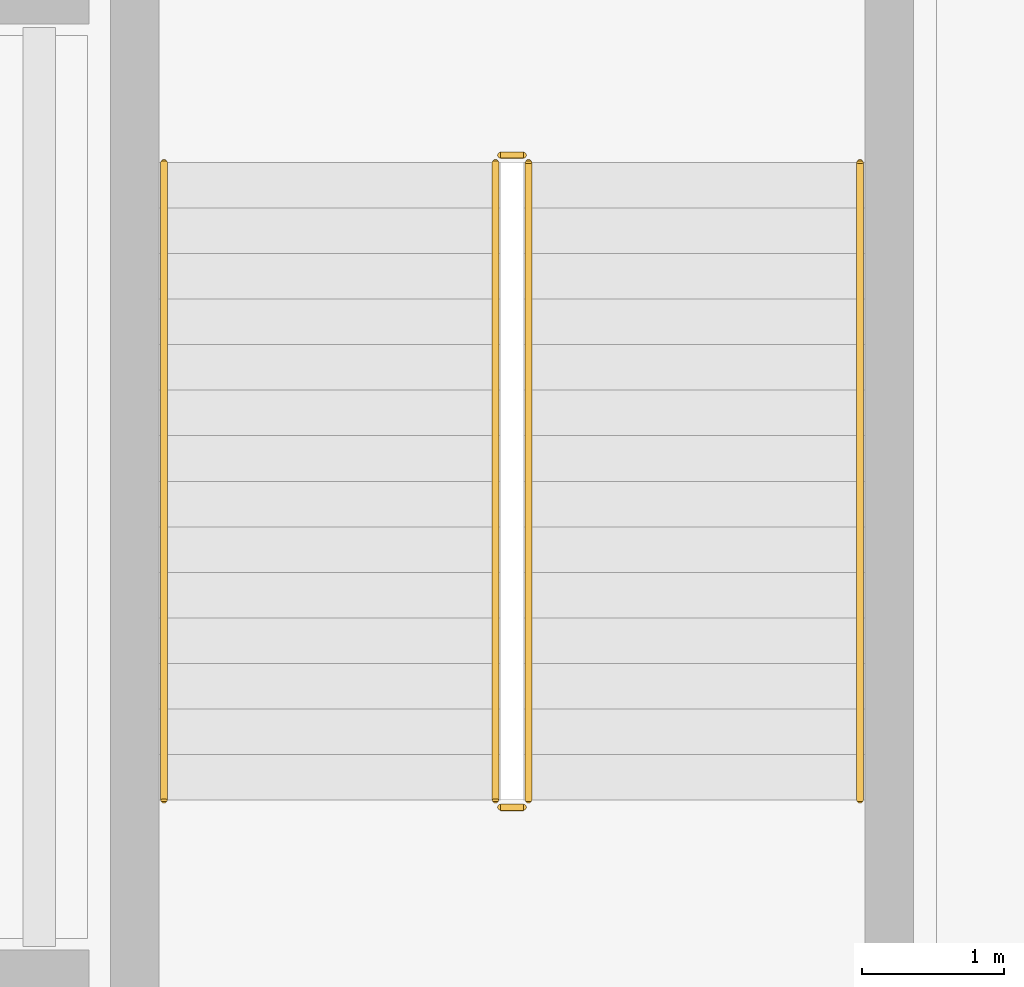
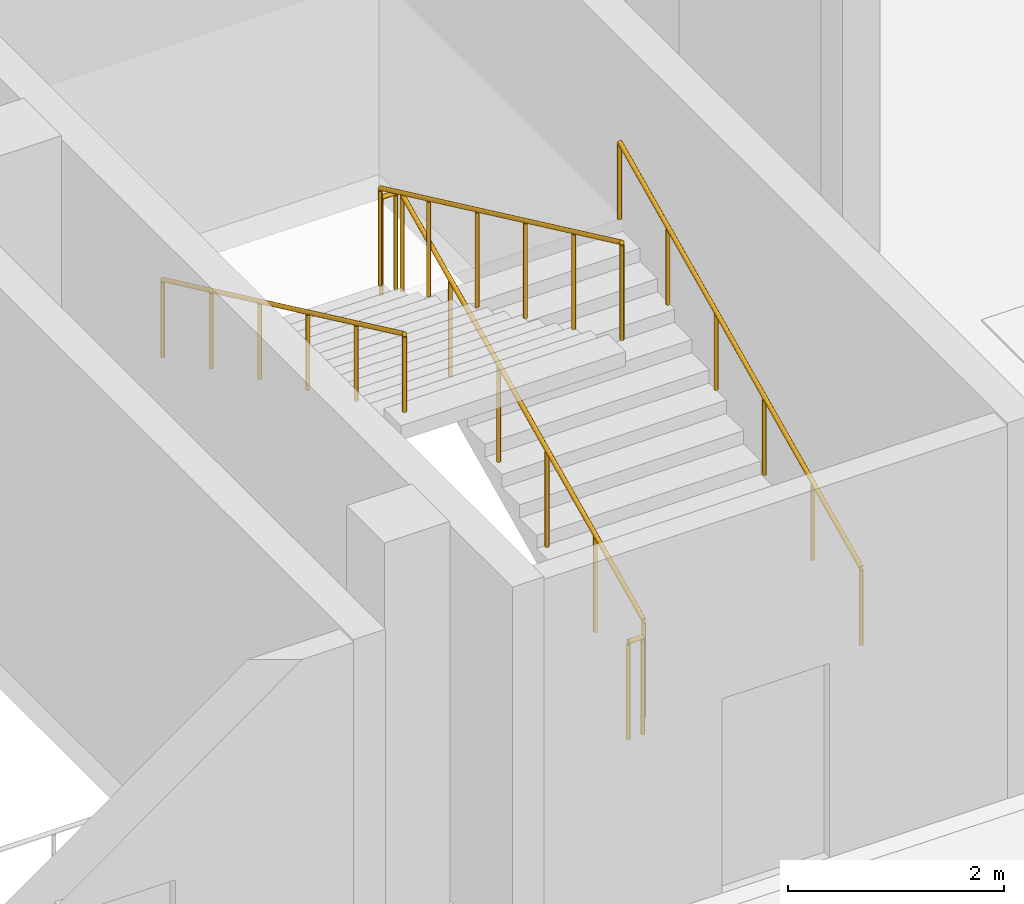
# One storey, part 149 of 151: 6 railings.
"""IFC4 building model written with IfcOpenShell, lengths in metres."""

from ifc_helpers import new_model, si_unit, direction, frame, origin, origin_2d, place, context, subcontext, project, spatial, circle, extrude, material, layer, layer_set, type_object, element, save


model = new_model("IFC4")

# Units and contexts
model_context = context("Model", 3, precision=1e-05, world=origin(), true_north=direction((0.0, 1.0)))
body_context = subcontext(model_context, "Body", "Model", "MODEL_VIEW")
ifc_project = project(units=[si_unit("LENGTHUNIT", "METRE"), si_unit("AREAUNIT", "SQUARE_METRE"), si_unit("VOLUMEUNIT", "CUBIC_METRE"), si_unit("PLANEANGLEUNIT", "RADIAN"), si_unit("MASSUNIT", "GRAM", prefix="KILO")], contexts=[model_context])

# Site, building, storey
site_placement = place(None, origin())
site = spatial("IfcSite", under=ifc_project, at=site_placement, CompositionType="ELEMENT")
building_placement = place(site_placement, origin())
building = spatial("IfcBuilding", under=site, at=building_placement, Name="Celestram Park Convention Centre", CompositionType="ELEMENT")
storey_placement = place(building_placement, frame((0.0, 0.0, 10.800048828125)))
storey = spatial("IfcBuildingStorey", under=building, at=storey_placement, Name="L02", CompositionType="ELEMENT", Elevation=10.800048828125)

# Railings
ifc_material_1 = material(Name="Stainless Steel AISI 316L & Laminated Glass", Category="steel")
ifc_layer_1 = layer(ifc_material_1, 0.06005859375)
ifc_layer_set_1 = layer_set([ifc_layer_1], Name="Stainless Steel AISI 316L & Laminated Glass")
railing_type_1 = type_object("IfcRailingType", Name="ARC-RL-GRD1120", PredefinedType="GUARDRAIL", material=ifc_layer_set_1)
railing_1_placement = place(storey_placement, frame((147.43603515625, 152.60009765625, 0.14990234375)))
element("IfcRailing", 1, at=railing_1_placement, inside=storey, type_object=railing_type_1, Name="L02 ST-09 stair guard 1", PredefinedType="GUARDRAIL", context=body_context, shape_type="SweptSolid", body=[
    extrude(circle(Radius=0.02392578125, at=origin_2d()), frame((0.0, 0.0, 1.09619140625), z_axis=(0.0, 0.905450639465, 0.424451574969), x_axis=(-1.0, 0.0, 0.0)), (0.0, 0.0, 1.0), 4.94775390625),
    extrude(circle(Radius=0.02099609375, at=origin_2d()), origin(), (0.0, 0.0, 1.0), 1.072021484375),
    extrude(circle(Radius=0.02099609375, at=origin_2d()), frame((0.0, 0.89599609375, 0.419921875)), (0.0, 0.0, 1.0), 1.072021484375),
    extrude(circle(Radius=0.02099609375, at=origin_2d()), frame((0.0, 1.7919921875, 0.840087890625)), (0.0, 0.0, 1.0), 1.072021484375),
    extrude(circle(Radius=0.02099609375, at=origin_2d()), frame((0.0, 2.68798828125, 1.260009765625)), (0.0, 0.0, 1.0), 1.072021484375),
    extrude(circle(Radius=0.02099609375, at=origin_2d()), frame((0.0, 3.583984375, 1.68017578125)), (0.0, 0.0, 1.0), 1.072021484375),
    extrude(circle(Radius=0.02099609375, at=origin_2d()), frame((0.0, 4.47998046875, 2.10009765625)), (0.0, 0.0, 1.0), 1.072021484375),
])
railing_2_placement = place(storey_placement, frame((147.39990234375, 157.1298828125, 2.25)))
element("IfcRailing", 2, at=railing_2_placement, inside=storey, type_object=railing_type_1, Name="L02 ST-09 stair guard 2", PredefinedType="GUARDRAIL", context=body_context, shape_type="SweptSolid", body=[
    extrude(circle(Radius=0.02392578125, at=origin_2d()), frame((0.0, 0.0, 1.09619140625), z_axis=(-1.0, 0.0, 0.0), x_axis=(0.0, -1.0, 0.0)), (0.0, 0.0, 1.0), 0.159912109375),
    extrude(circle(Radius=0.02099609375, at=origin_2d()), origin(), (0.0, 0.0, 1.0), 1.072021484375),
    extrude(circle(Radius=0.02099609375, at=origin_2d()), frame((-0.159912109375, 0.0, 0.0)), (0.0, 0.0, 1.0), 1.072021484375),
])
railing_3_placement = place(storey_placement, frame((147.2041015625, 157.080078125, 2.39990234375)))
element("IfcRailing", 3, at=railing_3_placement, inside=storey, type_object=railing_type_1, Name="L02 ST-09 stair guard 3", PredefinedType="GUARDRAIL", context=body_context, shape_type="SweptSolid", body=[
    extrude(circle(Radius=0.02392578125, at=origin_2d()), frame((0.0, 0.0, 1.09619140625), z_axis=(0.0, -0.905450639465, 0.424451574969), x_axis=(1.0, 0.0, 0.0)), (0.0, 0.0, 1.0), 4.94775390625),
    extrude(circle(Radius=0.02099609375, at=origin_2d()), origin(), (0.0, 0.0, 1.0), 1.072021484375),
    extrude(circle(Radius=0.02099609375, at=origin_2d()), frame((0.0, -0.89599609375, 0.419921875)), (0.0, 0.0, 1.0), 1.072021484375),
    extrude(circle(Radius=0.02099609375, at=origin_2d()), frame((0.0, -1.7919921875, 0.840087890625)), (0.0, 0.0, 1.0), 1.072021484375),
    extrude(circle(Radius=0.02099609375, at=origin_2d()), frame((0.0, -2.68798828125, 1.260009765625)), (0.0, 0.0, 1.0), 1.072021484375),
    extrude(circle(Radius=0.02099609375, at=origin_2d()), frame((0.0, -3.583984375, 1.68017578125)), (0.0, 0.0, 1.0), 1.072021484375),
    extrude(circle(Radius=0.02099609375, at=origin_2d()), frame((0.0, -4.47998046875, 2.10009765625)), (0.0, 0.0, 1.0), 1.072021484375),
])
railing_4_placement = place(storey_placement, frame((147.39990234375, 152.550048828125, 0.0)))
element("IfcRailing", 4, at=railing_4_placement, inside=storey, type_object=railing_type_1, Name="L02 ST-09 stair guard 4", PredefinedType="GUARDRAIL", context=body_context, shape_type="SweptSolid", body=[
    extrude(circle(Radius=0.02392578125, at=origin_2d()), frame((0.0, 0.0, 1.09619140625), z_axis=(-1.0, 0.0, 0.0), x_axis=(0.0, -1.0, 0.0)), (0.0, 0.0, 1.0), 0.159912109375),
    extrude(circle(Radius=0.02099609375, at=origin_2d()), origin(), (0.0, 0.0, 1.0), 1.072021484375),
    extrude(circle(Radius=0.02099609375, at=origin_2d()), frame((-0.159912109375, 0.0, 0.0)), (0.0, 0.0, 1.0), 1.072021484375),
])
ifc_material_2 = material(Name="Brushed Stainless Steel AISI 304", Category="steel")
ifc_layer_2 = layer(ifc_material_2, 0.048095703125)
ifc_layer_set_2 = layer_set([ifc_layer_2], Name="Brushed Stainless Steel AISI 304")
railing_type_2 = type_object("IfcRailingType", Name="ARC-RL-HND915", PredefinedType="HANDRAIL", material=ifc_layer_set_2)
railing_5_placement = place(storey_placement, frame((149.763916015625, 152.60009765625, 0.14990234375)))
element("IfcRailing", 5, at=railing_5_placement, inside=storey, type_object=railing_type_2, Name="L02 ST-09 stair handrail 1", PredefinedType="HANDRAIL", context=body_context, shape_type="SweptSolid", body=[
    extrude(circle(Radius=0.02392578125, at=origin_2d()), frame((0.0, 0.0, 0.8759765625), z_axis=(0.0, 0.905450639465, 0.424451574969), x_axis=(-1.0, 0.0, 0.0)), (0.0, 0.0, 1.0), 4.94775390625),
    extrude(circle(Radius=0.02099609375, at=origin_2d()), origin(), (0.0, 0.0, 1.0), 0.851806640625),
    extrude(circle(Radius=0.02099609375, at=origin_2d()), frame((0.0, 0.89599609375, 0.419921875)), (0.0, 0.0, 1.0), 0.851806640625),
    extrude(circle(Radius=0.02099609375, at=origin_2d()), frame((0.0, 1.7919921875, 0.840087890625)), (0.0, 0.0, 1.0), 0.851806640625),
    extrude(circle(Radius=0.02099609375, at=origin_2d()), frame((0.0, 2.68798828125, 1.260009765625)), (0.0, 0.0, 1.0), 0.851806640625),
    extrude(circle(Radius=0.02099609375, at=origin_2d()), frame((0.0, 3.583984375, 1.68017578125)), (0.0, 0.0, 1.0), 0.851806640625),
    extrude(circle(Radius=0.02099609375, at=origin_2d()), frame((0.0, 4.47998046875, 2.10009765625)), (0.0, 0.0, 1.0), 0.851806640625),
])
railing_6_placement = place(storey_placement, frame((144.8759765625, 157.080078125, 2.39990234375)))
element("IfcRailing", 6, at=railing_6_placement, inside=storey, type_object=railing_type_2, Name="L02 ST-09 stair handrail 2", PredefinedType="HANDRAIL", context=body_context, shape_type="SweptSolid", body=[
    extrude(circle(Radius=0.02392578125, at=origin_2d()), frame((0.0, 0.0, 0.8759765625), z_axis=(0.0, -0.905450639465, 0.424451574969), x_axis=(1.0, 0.0, 0.0)), (0.0, 0.0, 1.0), 4.94775390625),
    extrude(circle(Radius=0.02099609375, at=origin_2d()), origin(), (0.0, 0.0, 1.0), 0.851806640625),
    extrude(circle(Radius=0.02099609375, at=origin_2d()), frame((0.0, -0.89599609375, 0.419921875)), (0.0, 0.0, 1.0), 0.851806640625),
    extrude(circle(Radius=0.02099609375, at=origin_2d()), frame((0.0, -1.7919921875, 0.840087890625)), (0.0, 0.0, 1.0), 0.851806640625),
    extrude(circle(Radius=0.02099609375, at=origin_2d()), frame((0.0, -2.68798828125, 1.260009765625)), (0.0, 0.0, 1.0), 0.851806640625),
    extrude(circle(Radius=0.02099609375, at=origin_2d()), frame((0.0, -3.583984375, 1.68017578125)), (0.0, 0.0, 1.0), 0.851806640625),
    extrude(circle(Radius=0.02099609375, at=origin_2d()), frame((0.0, -4.47998046875, 2.10009765625)), (0.0, 0.0, 1.0), 0.851806640625),
])

save(model, "model.ifc")
